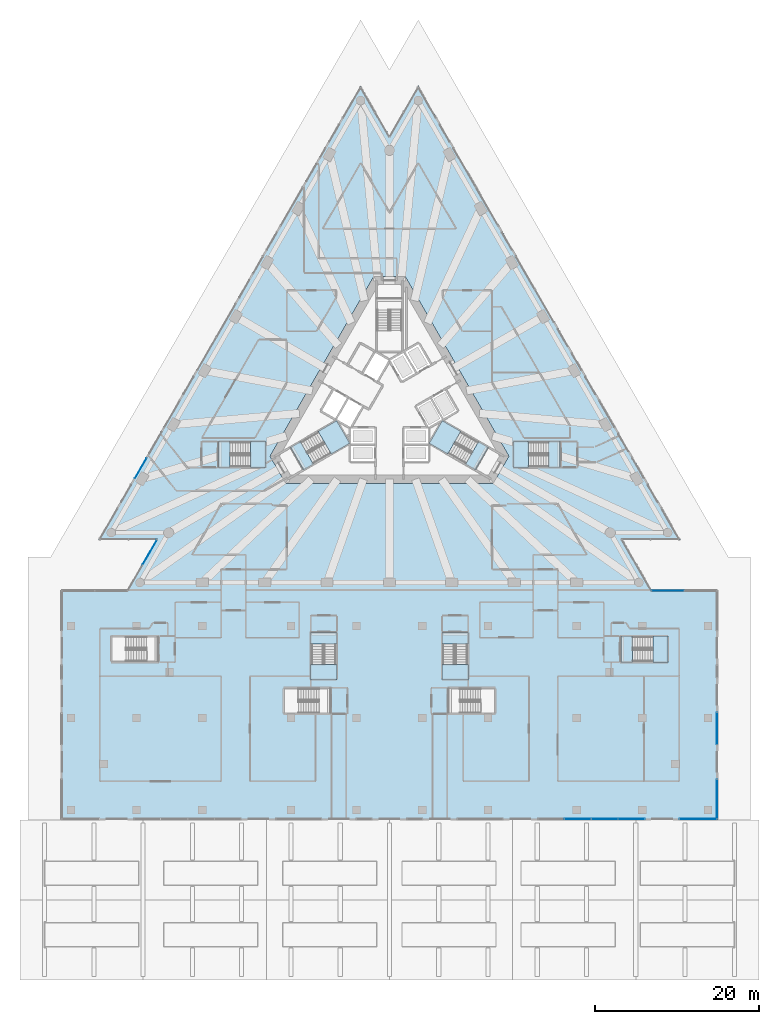
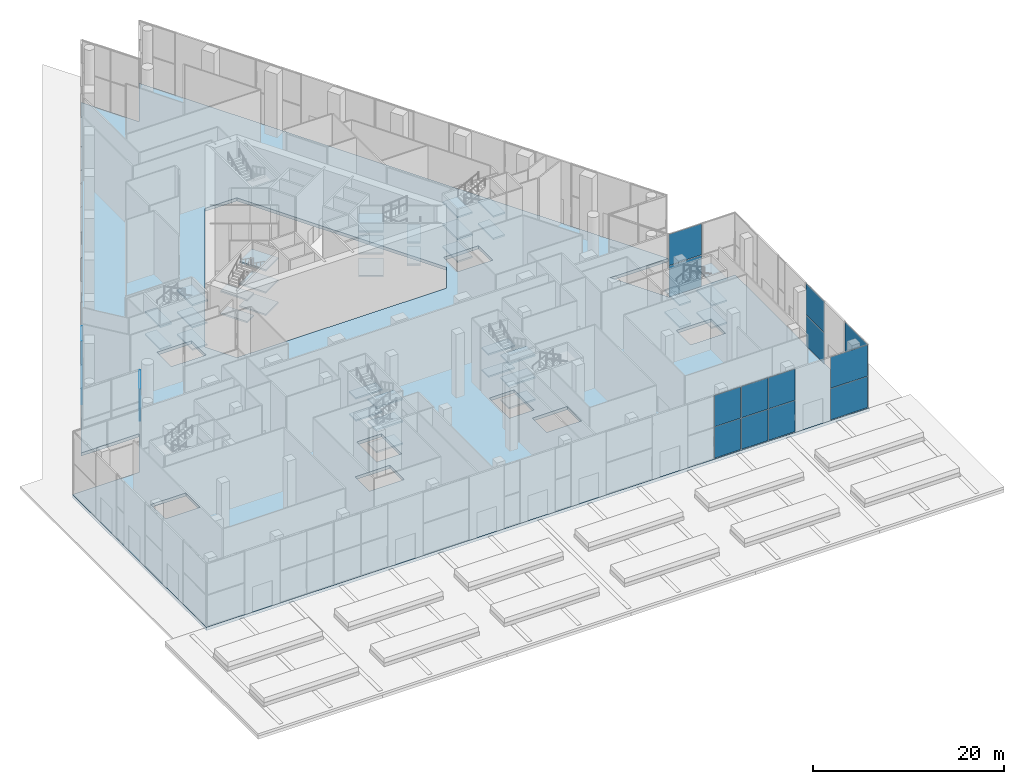
# One storey, part 17 of 41: 36 slabs, 17 plates, 15 elements without a shape of their own.
"""IFC4 building model written with IfcOpenShell, lengths in metres."""

import ifcopenshell
import ifcopenshell.guid

model = None  # the IFC model being written
_history = None  # IfcOwnerHistory: only IFC2X3 demands one
_inside = {}  # id of a spatial element -> (the spatial element, [elements in it])
_under = {}  # id of a project, library or spatial element -> (it, [spatial elements below it])
_declared = {}  # id of a project -> (the project, [libraries it declares])
_typed = {}  # id of a type object -> (the type object, [elements of that type])
_made_of = {}  # id of a material, layer set ... -> (it, [elements and type objects made of it])


def new_model(schema):
    """Start an empty IFC model of exactly this schema.

    Asked for "IFC4X3", IfcOpenShell would pick the latest addendum, in which some entities
    have other attributes; the version numbers below select the first issue.
    IFC2X3 requires an IfcOwnerHistory on every rooted entity: one is made here for all.
    """
    global model, _history
    if schema == "IFC4X3":
        model = ifcopenshell.file(schema_version=(4, 3, 0, 0))
    else:
        model = ifcopenshell.file(schema=schema)
    _inside.clear()
    _under.clear()
    _declared.clear()
    _typed.clear()
    _made_of.clear()
    _history = None
    if model.schema == "IFC2X3":
        org = make("IfcOrganization", Name="unknown")
        user = make(
            "IfcPersonAndOrganization",
            ThePerson=make("IfcPerson", FamilyName="unknown"),
            TheOrganization=org,
        )
        app = make(
            "IfcApplication",
            ApplicationDeveloper=org,
            Version="unknown",
            ApplicationFullName="unknown",
            ApplicationIdentifier="unknown",
        )
        _history = make(
            "IfcOwnerHistory",
            OwningUser=user,
            OwningApplication=app,
            ChangeAction="ADDED",
            CreationDate=0,
        )
    return model


def make(cls, **values):
    """One entity of the class cls with the attributes given. An attribute that is None is left unset."""
    return model.create_entity(
        cls, **{name: value for name, value in values.items() if value is not None}
    )


def rooted(cls, **values):
    """An entity with a GlobalId (a new one), such as an element, a storey or a relation."""
    return make(cls, GlobalId=ifcopenshell.guid.new(), OwnerHistory=_history, **values)


def si_unit(unit_type, name, prefix=None):
    """IfcSIUnit, for example si_unit("LENGTHUNIT", "METRE", prefix="MILLI")."""
    return make("IfcSIUnit", UnitType=unit_type, Prefix=prefix, Name=name)


def assignment(units):
    """IfcUnitAssignment: the units of a project."""
    return None if units is None else make("IfcUnitAssignment", Units=units)


def point(xyz):
    """IfcCartesianPoint."""
    return None if xyz is None else make("IfcCartesianPoint", Coordinates=xyz)


def direction(xyz):
    """IfcDirection."""
    return None if xyz is None else make("IfcDirection", DirectionRatios=xyz)


def frame(location, z_axis=None, x_axis=None):
    """IfcAxis2Placement3D, a coordinate frame: its origin and axes. An axis left out is left unset."""
    return make(
        "IfcAxis2Placement3D",
        Location=point(location),
        Axis=direction(z_axis),
        RefDirection=direction(x_axis),
    )


def frame_2d(location, x_axis=None):
    """IfcAxis2Placement2D, a coordinate frame in the plane: its origin and x axis."""
    return make(
        "IfcAxis2Placement2D", Location=point(location), RefDirection=direction(x_axis)
    )


def origin():
    """The frame at (0, 0, 0) with its axes left unset."""
    return frame((0.0, 0.0, 0.0))


def origin_2d():
    """The frame at (0, 0) in the plane with its x axis left unset."""
    return frame_2d((0.0, 0.0))


def place(relative_to, where):
    """IfcLocalPlacement: puts the frame where relative to a parent placement (None: the world)."""
    return make(
        "IfcLocalPlacement", PlacementRelTo=relative_to, RelativePlacement=where
    )


def context(
    kind, dimensions, precision=None, world=None, true_north=None, identifier=None
):
    """IfcGeometricRepresentationContext, for example the 3D "Model" context."""
    return make(
        "IfcGeometricRepresentationContext",
        ContextIdentifier=identifier,
        ContextType=kind,
        CoordinateSpaceDimension=dimensions,
        Precision=precision,
        WorldCoordinateSystem=world,
        TrueNorth=true_north,
    )


def subcontext(parent, identifier, kind, view, scale=None):
    """IfcGeometricRepresentationSubContext, for example "Body" below "Model"."""
    return make(
        "IfcGeometricRepresentationSubContext",
        ContextIdentifier=identifier,
        ContextType=kind,
        ParentContext=parent,
        TargetScale=scale,
        TargetView=view,
    )


def project(units=None, contexts=None):
    """IfcProject with its units and contexts."""
    return rooted(
        "IfcProject",
        Name="project",
        RepresentationContexts=contexts,
        UnitsInContext=assignment(units),
    )


def spatial(cls, under=None, at=None, **own):
    """A site, building, storey or space (cls), placed at a placement, below another one or the project."""
    s = rooted(cls, ObjectPlacement=at, **own)
    if under is not None:
        _under.setdefault(under.id(), (under, []))[1].append(s)
    return s


def polyline(points):
    """IfcPolyline through the points."""
    return make("IfcPolyline", Points=[point(p) for p in points])


def profile(cls, at=None, kind="AREA", **sizes):
    """A parametric profile (cls). Its sizes go by their IFC names, for example OverallWidth=200.0."""
    return make(cls, ProfileType=kind, Position=at, **sizes)


def rectangle(**sizes):
    """IfcRectangleProfileDef."""
    return profile("IfcRectangleProfileDef", **sizes)


def outline(outer, holes=None, kind="AREA"):
    """IfcArbitraryClosedProfileDef: a profile drawn as a closed curve; with holes, ...WithVoids."""
    if holes is None:
        return make("IfcArbitraryClosedProfileDef", ProfileType=kind, OuterCurve=outer)
    return make(
        "IfcArbitraryProfileDefWithVoids",
        ProfileType=kind,
        OuterCurve=outer,
        InnerCurves=holes,
    )


def extrude(swept, where, along, depth):
    """IfcExtrudedAreaSolid: the profile swept, set in the frame where, extruded along a direction by depth."""
    return make(
        "IfcExtrudedAreaSolid",
        SweptArea=swept,
        Position=where,
        ExtrudedDirection=direction(along),
        Depth=depth,
    )


def shape(context_of_items, identifier, shape_type, items):
    """IfcShapeRepresentation: the items that make up one representation, for example the "Body"."""
    return make(
        "IfcShapeRepresentation",
        ContextOfItems=context_of_items,
        RepresentationIdentifier=identifier,
        RepresentationType=shape_type,
        Items=items,
    )


def material(Name=None, Category=None):
    """IfcMaterial."""
    return make("IfcMaterial", Name=Name, Category=Category)


def layer(
    of_material, thickness, ventilated=None, Name=None, Category=None, Priority=None
):
    """IfcMaterialLayer: one layer of a wall or slab, of a material (None: an air gap)."""
    return make(
        "IfcMaterialLayer",
        Material=of_material,
        LayerThickness=thickness,
        IsVentilated=ventilated,
        Name=Name,
        Category=Category,
        Priority=Priority,
    )


def layer_set(layers, Name=None):
    """IfcMaterialLayerSet."""
    return make("IfcMaterialLayerSet", MaterialLayers=layers, LayerSetName=Name)


def made_of(thing, what):
    """Note that an element or type object is made of a material, layer set ...; save() writes the relation."""
    if what is not None:
        _made_of.setdefault(what.id(), (what, []))[1].append(thing)
    return thing


def type_object(cls, material=None, **own):
    """A type object (cls), such as IfcWallType, which elements share."""
    return made_of(rooted(cls, **own), material)


def element(
    cls,
    number,
    at=None,
    inside=None,
    cuts=None,
    type_object=None,
    material=None,
    context=None,
    identifier="Body",
    shape_type=None,
    held_by="IfcProductDefinitionShape",
    body=None,
    shapes=None,
    **own,
):
    """One element of the class cls, such as IfcWall. Its Tag is "e" and its number.

    at: its placement. inside: the storey or other place that contains it. cuts: it is an
    opening in that element (IfcRelVoidsElement). A single representation is given by context,
    identifier, shape_type and body (its items); several are given by shapes. held_by: the class
    of the entity that holds the representations. save() writes the other relations.
    """
    e = rooted(cls, Tag="e%d" % number, ObjectPlacement=at, **own)
    if body is not None:
        shapes = [shape(context, identifier, shape_type, body)]
    if shapes is not None:
        e.Representation = make(held_by, Representations=shapes)
    if inside is not None:
        _inside.setdefault(inside.id(), (inside, []))[1].append(e)
    if cuts is not None:
        rooted(
            "IfcRelVoidsElement", RelatingBuildingElement=cuts, RelatedOpeningElement=e
        )
    if type_object is not None:
        _typed.setdefault(type_object.id(), (type_object, []))[1].append(e)
    return made_of(e, material)


def aggregate(whole, parts):
    """IfcRelAggregates: a whole, such as a stair, and the parts it consists of."""
    return rooted("IfcRelAggregates", RelatingObject=whole, RelatedObjects=parts)


def save(model, path):
    """Write the relations noted so far, then the file.

    IfcRelAggregates (storeys below a building ...), IfcRelContainedInSpatialStructure (elements
    in a storey), IfcRelDefinesByType, IfcRelAssociatesMaterial and IfcRelDeclares: one each for
    every whole, place, type object, material and project.
    """
    for whole, parts in _under.values():
        aggregate(whole, parts)
    for where, things in _inside.values():
        rooted(
            "IfcRelContainedInSpatialStructure",
            RelatedElements=things,
            RelatingStructure=where,
        )
    for kind, things in _typed.values():
        rooted("IfcRelDefinesByType", RelatedObjects=things, RelatingType=kind)
    for what, things in _made_of.values():
        rooted("IfcRelAssociatesMaterial", RelatedObjects=things, RelatingMaterial=what)
    for by, libraries in _declared.values():
        rooted("IfcRelDeclares", RelatingContext=by, RelatedDefinitions=libraries)
    model.write(path)


model = new_model("IFC4")

# Units and contexts
model_context = context("Model", 3, precision=1e-05, world=origin(), true_north=direction((0.0, 1.0)))
body_context = subcontext(model_context, "Body", "Model", "MODEL_VIEW")
ifc_project = project(units=[si_unit("LENGTHUNIT", "METRE"), si_unit("AREAUNIT", "SQUARE_METRE"), si_unit("VOLUMEUNIT", "CUBIC_METRE"), si_unit("PLANEANGLEUNIT", "RADIAN"), si_unit("MASSUNIT", "GRAM", prefix="KILO")], contexts=[model_context])

# Site, building, storey
site_placement = place(None, origin())
site = spatial("IfcSite", under=ifc_project, at=site_placement, CompositionType="ELEMENT")
building_placement = place(site_placement, origin())
building = spatial("IfcBuilding", under=site, at=building_placement, Name="Triada Interchange Tower", CompositionType="ELEMENT")
storey_placement = place(building_placement, origin())
storey = spatial("IfcBuildingStorey", under=building, at=storey_placement, Name="L00", CompositionType="ELEMENT", Elevation=0.0)

# Curtain wall, plates
ifc_material_1 = material(Name="Aluminium framed glazing", Category="aluminium")
ifc_layer_1 = layer(ifc_material_1, 0.199951171875)
ifc_layer_set_1 = layer_set([ifc_layer_1], Name="Curtain wall Concourse glazed screen")
curtain_wall_type_1 = type_object("IfcCurtainWallType", Name="Curtain wall Concourse glazed screen", PredefinedType="NOTDEFINED", material=ifc_layer_set_1)
curtain_wall_1_placement = place(storey_placement, origin())
curtain_wall_1 = element("IfcCurtainWall", 1, at=curtain_wall_1_placement, inside=storey, type_object=curtain_wall_type_1, Name="Concourse glazed screen CW037 L00", PredefinedType="NOTDEFINED")
ifc_material_2 = material(Name="Insulated glazing unit", Category="glass")
ifc_layer_2 = layer(ifc_material_2, 0.031982421875)
ifc_layer_set_2 = layer_set([ifc_layer_2], Name="Glazing panel Concourse glazed screen 32")
plate_type_1 = type_object("IfcPlateType", Name="Glazing panel Concourse glazed screen 32", PredefinedType="CURTAIN_PANEL", material=ifc_layer_set_2)
plate_1_placement = place(storey_placement, frame((-30.2880859375, -7.659423828125, 0.06005859375), z_axis=(0.0, 0.0, 1.0), x_axis=(-0.499969479946, -0.866043023829, 0.0)))
plate_1 = element("IfcPlate", 2, at=plate_1_placement, type_object=plate_type_1, Name="CW037 panel 1.1", PredefinedType="CURTAIN_PANEL", context=body_context, shape_type="SweptSolid", body=[
    extrude(rectangle(XDim=2.80029296875, YDim=0.031982421875, at=origin_2d()), origin(), (0.0, 0.0, 1.0), 3.9599609375),
])
plate_2_placement = place(storey_placement, frame((-30.2880859375, -7.659423828125, 4.080078125), z_axis=(0.0, 0.0, 1.0), x_axis=(-0.499969479946, -0.866043023829, 0.0)))
plate_2 = element("IfcPlate", 3, at=plate_2_placement, type_object=plate_type_1, Name="CW037 panel 1.2", PredefinedType="CURTAIN_PANEL", context=body_context, shape_type="SweptSolid", body=[
    extrude(rectangle(XDim=2.80029296875, YDim=0.031982421875, at=origin_2d()), origin(), (0.0, 0.0, 1.0), 3.9599609375),
])
aggregate(curtain_wall_1, [plate_1, plate_2])

ifc_layer_3 = layer(ifc_material_1, 0.199951171875)
ifc_layer_set_3 = layer_set([ifc_layer_3], Name="Curtain wall Retail shopfront")
curtain_wall_type_2 = type_object("IfcCurtainWallType", Name="Curtain wall Retail shopfront", PredefinedType="NOTDEFINED", material=ifc_layer_set_3)
curtain_wall_2_placement = place(storey_placement, origin())
curtain_wall_2 = element("IfcCurtainWall", 4, at=curtain_wall_2_placement, inside=storey, type_object=curtain_wall_type_2, Name="Retail shopfront CW008 L00", PredefinedType="NOTDEFINED")
ifc_layer_4 = layer(ifc_material_2, 0.028076171875)
ifc_layer_set_4 = layer_set([ifc_layer_4], Name="Glazing panel Retail shopfront 28")
plate_type_2 = type_object("IfcPlateType", Name="Glazing panel Retail shopfront 28", PredefinedType="CURTAIN_PANEL", material=ifc_layer_set_4)
plate_3_placement = place(storey_placement, frame((22.941162109375, -50.39990234375, 0.050048828125), z_axis=(0.0, 0.0, 1.0), x_axis=(1.0, 0.0, 0.0)))
plate_3 = element("IfcPlate", 5, at=plate_3_placement, type_object=plate_type_2, Name="CW008 panel 2.1", PredefinedType="CURTAIN_PANEL", context=body_context, shape_type="SweptSolid", body=[
    extrude(rectangle(XDim=3.1875, YDim=0.028076171875, at=origin_2d()), origin(), (0.0, 0.0, 1.0), 3.97509765625),
])
plate_4_placement = place(storey_placement, frame((22.941162109375, -50.39990234375, 4.074951171875), z_axis=(0.0, 0.0, 1.0), x_axis=(1.0, 0.0, 0.0)))
plate_4 = element("IfcPlate", 6, at=plate_4_placement, type_object=plate_type_2, Name="CW008 panel 2.2", PredefinedType="CURTAIN_PANEL", context=body_context, shape_type="SweptSolid", body=[
    extrude(rectangle(XDim=3.1875, YDim=0.028076171875, at=origin_2d()), origin(), (0.0, 0.0, 1.0), 3.97509765625),
])
aggregate(curtain_wall_2, [plate_3, plate_4])

curtain_wall_3_placement = place(storey_placement, origin())
curtain_wall_3 = element("IfcCurtainWall", 7, at=curtain_wall_3_placement, inside=storey, type_object=curtain_wall_type_2, Name="Retail shopfront CW009 L00", PredefinedType="NOTDEFINED")
plate_5_placement = place(storey_placement, frame((26.23876953125, -50.39990234375, 0.050048828125), z_axis=(0.0, 0.0, 1.0), x_axis=(1.0, 0.0, 0.0)))
plate_5 = element("IfcPlate", 8, at=plate_5_placement, type_object=plate_type_2, Name="CW009 panel 1.1", PredefinedType="CURTAIN_PANEL", context=body_context, shape_type="SweptSolid", body=[
    extrude(rectangle(XDim=3.1875, YDim=0.028076171875, at=origin_2d()), origin(), (0.0, 0.0, 1.0), 3.97509765625),
])
plate_6_placement = place(storey_placement, frame((26.23876953125, -50.39990234375, 4.074951171875), z_axis=(0.0, 0.0, 1.0), x_axis=(1.0, 0.0, 0.0)))
plate_6 = element("IfcPlate", 9, at=plate_6_placement, type_object=plate_type_2, Name="CW009 panel 1.2", PredefinedType="CURTAIN_PANEL", context=body_context, shape_type="SweptSolid", body=[
    extrude(rectangle(XDim=3.1875, YDim=0.028076171875, at=origin_2d()), origin(), (0.0, 0.0, 1.0), 3.97509765625),
])
plate_7_placement = place(storey_placement, frame((29.476318359375, -50.39990234375, 0.050048828125), z_axis=(0.0, 0.0, 1.0), x_axis=(1.0, 0.0, 0.0)))
plate_7 = element("IfcPlate", 10, at=plate_7_placement, type_object=plate_type_2, Name="CW009 panel 2.1", PredefinedType="CURTAIN_PANEL", context=body_context, shape_type="SweptSolid", body=[
    extrude(rectangle(XDim=3.1875, YDim=0.028076171875, at=origin_2d()), origin(), (0.0, 0.0, 1.0), 3.97509765625),
])
plate_8_placement = place(storey_placement, frame((29.476318359375, -50.39990234375, 4.074951171875), z_axis=(0.0, 0.0, 1.0), x_axis=(1.0, 0.0, 0.0)))
plate_8 = element("IfcPlate", 11, at=plate_8_placement, type_object=plate_type_2, Name="CW009 panel 2.2", PredefinedType="CURTAIN_PANEL", context=body_context, shape_type="SweptSolid", body=[
    extrude(rectangle(XDim=3.1875, YDim=0.028076171875, at=origin_2d()), origin(), (0.0, 0.0, 1.0), 3.97509765625),
])
aggregate(curtain_wall_3, [plate_5, plate_6, plate_7, plate_8])

curtain_wall_4_placement = place(storey_placement, origin())
curtain_wall_4 = element("IfcCurtainWall", 12, at=curtain_wall_4_placement, inside=storey, type_object=curtain_wall_type_2, Name="Retail shopfront CW010 L00", PredefinedType="NOTDEFINED")
plate_9_placement = place(storey_placement, frame((37.610107421875, -50.39990234375, 0.050048828125), z_axis=(0.0, 0.0, 1.0), x_axis=(1.0, 0.0, 0.0)))
plate_9 = element("IfcPlate", 13, at=plate_9_placement, type_object=plate_type_2, Name="CW010 panel 1.1", PredefinedType="CURTAIN_PANEL", context=body_context, shape_type="SweptSolid", body=[
    extrude(rectangle(XDim=4.47998046875, YDim=0.028076171875, at=origin_2d()), origin(), (0.0, 0.0, 1.0), 3.97509765625),
])
plate_10_placement = place(storey_placement, frame((37.610107421875, -50.39990234375, 4.074951171875), z_axis=(0.0, 0.0, 1.0), x_axis=(1.0, 0.0, 0.0)))
plate_10 = element("IfcPlate", 14, at=plate_10_placement, type_object=plate_type_2, Name="CW010 panel 1.2", PredefinedType="CURTAIN_PANEL", context=body_context, shape_type="SweptSolid", body=[
    extrude(rectangle(XDim=4.47998046875, YDim=0.028076171875, at=origin_2d()), origin(), (0.0, 0.0, 1.0), 3.97509765625),
])
aggregate(curtain_wall_4, [plate_9, plate_10])

curtain_wall_5_placement = place(storey_placement, origin())
curtain_wall_5 = element("IfcCurtainWall", 15, at=curtain_wall_5_placement, inside=storey, type_object=curtain_wall_type_2, Name="Retail shopfront CW011 L00", PredefinedType="NOTDEFINED")
plate_11_placement = place(storey_placement, frame((39.89990234375, -47.97509765625, 0.050048828125), z_axis=(0.0, 0.0, 1.0), x_axis=(0.0, 1.0, 0.0)))
plate_11 = element("IfcPlate", 16, at=plate_11_placement, type_object=plate_type_2, Name="CW011 panel 1.1", PredefinedType="CURTAIN_PANEL", context=body_context, shape_type="SweptSolid", body=[
    extrude(rectangle(XDim=4.75, YDim=0.028076171875, at=origin_2d()), origin(), (0.0, 0.0, 1.0), 3.97509765625),
])
plate_12_placement = place(storey_placement, frame((39.89990234375, -47.97509765625, 4.074951171875), z_axis=(0.0, 0.0, 1.0), x_axis=(0.0, 1.0, 0.0)))
plate_12 = element("IfcPlate", 17, at=plate_12_placement, type_object=plate_type_2, Name="CW011 panel 1.2", PredefinedType="CURTAIN_PANEL", context=body_context, shape_type="SweptSolid", body=[
    extrude(rectangle(XDim=4.75, YDim=0.028076171875, at=origin_2d()), origin(), (0.0, 0.0, 1.0), 3.97509765625),
])
aggregate(curtain_wall_5, [plate_11, plate_12])

curtain_wall_6_placement = place(storey_placement, origin())
curtain_wall_6 = element("IfcCurtainWall", 18, at=curtain_wall_6_placement, inside=storey, type_object=curtain_wall_type_2, Name="Retail shopfront CW012 L00", PredefinedType="NOTDEFINED")
plate_13_placement = place(storey_placement, frame((39.89990234375, -39.375, 0.050048828125), z_axis=(0.0, 0.0, 1.0), x_axis=(0.0, 1.0, 0.0)))
plate_13 = element("IfcPlate", 19, at=plate_13_placement, type_object=plate_type_2, Name="CW012 panel 1.1", PredefinedType="CURTAIN_PANEL", context=body_context, shape_type="SweptSolid", body=[
    extrude(rectangle(XDim=3.85009765625, YDim=0.028076171875, at=origin_2d()), origin(), (0.0, 0.0, 1.0), 3.97509765625),
])
plate_14_placement = place(storey_placement, frame((39.89990234375, -39.375, 4.074951171875), z_axis=(0.0, 0.0, 1.0), x_axis=(0.0, 1.0, 0.0)))
plate_14 = element("IfcPlate", 20, at=plate_14_placement, type_object=plate_type_2, Name="CW012 panel 1.2", PredefinedType="CURTAIN_PANEL", context=body_context, shape_type="SweptSolid", body=[
    extrude(rectangle(XDim=3.85009765625, YDim=0.028076171875, at=origin_2d()), origin(), (0.0, 0.0, 1.0), 3.97509765625),
])
aggregate(curtain_wall_6, [plate_13, plate_14])

curtain_wall_7_placement = place(storey_placement, origin())
curtain_wall_7 = element("IfcCurtainWall", 21, at=curtain_wall_7_placement, inside=storey, type_object=curtain_wall_type_2, Name="Retail shopfront CW016 L00", PredefinedType="NOTDEFINED")
plate_15_placement = place(storey_placement, frame((33.89599609375, -22.60009765625, 0.050048828125), z_axis=(0.0, 0.0, 1.0), x_axis=(-1.0, 0.0, 0.0)))
plate_15 = element("IfcPlate", 22, at=plate_15_placement, type_object=plate_type_2, Name="CW016 panel 1.1", PredefinedType="CURTAIN_PANEL", context=body_context, shape_type="SweptSolid", body=[
    extrude(rectangle(XDim=3.89599609375, YDim=0.028076171875, at=origin_2d()), origin(), (0.0, 0.0, 1.0), 3.97509765625),
])
plate_16_placement = place(storey_placement, frame((33.89599609375, -22.60009765625, 4.074951171875), z_axis=(0.0, 0.0, 1.0), x_axis=(-1.0, 0.0, 0.0)))
plate_16 = element("IfcPlate", 23, at=plate_16_placement, type_object=plate_type_2, Name="CW016 panel 1.2", PredefinedType="CURTAIN_PANEL", context=body_context, shape_type="SweptSolid", body=[
    extrude(rectangle(XDim=3.89599609375, YDim=0.028076171875, at=origin_2d()), origin(), (0.0, 0.0, 1.0), 3.97509765625),
])
aggregate(curtain_wall_7, [plate_15, plate_16])

# Curtain wall, plate
ifc_layer_5 = layer(ifc_material_1, 0.199951171875)
ifc_layer_set_5 = layer_set([ifc_layer_5], Name="Curtain wall Tower lobby glazing")
curtain_wall_type_3 = type_object("IfcCurtainWallType", Name="Curtain wall Tower lobby glazing", PredefinedType="NOTDEFINED", material=ifc_layer_set_5)
curtain_wall_8_placement = place(storey_placement, origin())
curtain_wall_8 = element("IfcCurtainWall", 24, at=curtain_wall_8_placement, inside=storey, type_object=curtain_wall_type_3, Name="Tower lobby glazing CW040 L00", PredefinedType="NOTDEFINED")
ifc_layer_6 = layer(ifc_material_2, 0.031982421875)
ifc_layer_set_6 = layer_set([ifc_layer_6], Name="Glazing panel Tower lobby glazing 32")
plate_type_3 = type_object("IfcPlateType", Name="Glazing panel Tower lobby glazing 32", PredefinedType="CURTAIN_PANEL", material=ifc_layer_set_6)
plate_17_placement = place(storey_placement, frame((-29.18896484375, -17.90673828125, 4.080078125), z_axis=(0.0, 0.0, 1.0), x_axis=(-0.499909634761, -0.866077569894, 0.0)))
plate_17 = element("IfcPlate", 25, at=plate_17_placement, type_object=plate_type_3, Name="CW040 panel 1.2", PredefinedType="CURTAIN_PANEL", context=body_context, shape_type="SweptSolid", body=[
    extrude(rectangle(XDim=3.53271484375, YDim=0.031982421875, at=origin_2d()), origin(), (0.0, 0.0, 1.0), 3.9599609375),
])
aggregate(curtain_wall_8, [plate_17])

# Slab
ifc_material_3 = material(Name="Concrete C40/50", Category="concrete")
ifc_layer_7 = layer(ifc_material_3, 0.39990234375)
ifc_layer_set_7 = layer_set([ifc_layer_7], Name="Podium floor over basement 400")
slab_type_1 = type_object("IfcSlabType", Name="Podium floor over basement 400", PredefinedType="FLOOR", material=ifc_layer_set_7)
slab_1_placement = place(storey_placement, frame((0.0, 0.0, -0.39990234375)))
element("IfcSlab", 26, at=slab_1_placement, inside=storey, type_object=slab_type_1, Name="Floor slab L00", PredefinedType="FLOOR", context=body_context, shape_type="SweptSolid", body=[
    extrude(outline(polyline([(-40.0, -50.5), (40.0, -50.5), (40.0, -22.5), (31.9560546875, -22.5), (28.448974609375, -16.425048828125), (35.464111328125, -16.425048828125), (3.507080078125, 38.925048828125), (0.0, 32.85009765625), (-3.507080078125, 38.925048828125), (-35.464111328125, -16.425048828125), (-28.448974609375, -16.425048828125), (-31.9560546875, -22.5), (-40.0, -22.5), (-40.0, -50.5)]), holes=[polyline([(-8.60009765625, -37.5), (-12.800048828125, -37.5), (-12.800048828125, -34.5), (-8.60009765625, -34.5), (-8.60009765625, -37.5)]), polyline([(8.60009765625, -34.5), (12.800048828125, -34.5), (12.800048828125, -37.5), (8.60009765625, -37.5), (8.60009765625, -34.5)]), polyline([(-6.5, -29.10009765625), (-6.5, -33.300048828125), (-9.5, -33.300048828125), (-9.5, -29.10009765625), (-6.5, -29.10009765625)]), polyline([(9.5, -29.10009765625), (9.5, -33.300048828125), (6.5, -33.300048828125), (6.5, -29.10009765625), (9.5, -29.10009765625)]), polyline([(-29.60009765625, -31.199951171875), (-33.800048828125, -31.199951171875), (-33.800048828125, -28.199951171875), (-29.60009765625, -28.199951171875), (-29.60009765625, -31.199951171875)]), polyline([(29.60009765625, -28.199951171875), (33.800048828125, -28.199951171875), (33.800048828125, -31.199951171875), (29.60009765625, -31.199951171875), (29.60009765625, -28.199951171875)]), polyline([(-19.39990234375, -4.5), (-15.199951171875, -4.5), (-15.199951171875, -7.5), (-19.39990234375, -7.5), (-19.39990234375, -4.5)]), polyline([(15.199951171875, -7.5), (15.199951171875, -4.5), (19.39990234375, -4.5), (19.39990234375, -7.5), (15.199951171875, -7.5)]), polyline([(-14.549072265625, -6.199951171875), (-1.905029296875, 15.699951171875), (1.905029296875, 15.699951171875), (14.549072265625, -6.199951171875), (12.64404296875, -9.5), (-12.64404296875, -9.5), (-14.549072265625, -6.199951171875)])]), origin(), (0.0, 0.0, 1.0), 0.39990234375),
])

# Stair, slabs
ifc_material_4 = material(Name="Concrete C35/45", Category="concrete")
stair_type = type_object("IfcStairType", Name="HALF TURN STAIR 1400", PredefinedType="HALF_TURN_STAIR", material=ifc_material_4)
stair_1_placement = place(storey_placement, origin())
stair_1 = element("IfcStair", 27, at=stair_1_placement, inside=storey, type_object=stair_type, Name="Exit stair S00-2", PredefinedType="HALF_TURN_STAIR")
ifc_layer_8 = layer(ifc_material_4, 0.199951171875)
ifc_layer_set_8 = layer_set([ifc_layer_8], Name="STAIR LANDING 200")
slab_type_2 = type_object("IfcSlabType", Name="STAIR LANDING 200", PredefinedType="LANDING", material=ifc_layer_set_8)
slab_2_placement = place(storey_placement, frame((0.0, 0.0, 1.216796875)))
slab_2 = element("IfcSlab", 28, at=slab_2_placement, type_object=slab_type_2, Name="S00-2 landing 1", PredefinedType="LANDING", context=body_context, shape_type="SweptSolid", body=[
    extrude(outline(polyline([(-6.428955078125, -1.864013671875), (-8.697998046875, -3.174072265625), (-7.097900390625, -5.946044921875), (-4.8291015625, -4.635986328125), (-6.428955078125, -1.864013671875)])), origin(), (0.0, 0.0, 1.0), 0.199951171875),
])
slab_3_placement = place(storey_placement, frame((0.0, 0.0, 4.050048828125)))
slab_3 = element("IfcSlab", 29, at=slab_3_placement, type_object=slab_type_2, Name="S00-2 landing 2", PredefinedType="LANDING", context=body_context, shape_type="SweptSolid", body=[
    extrude(outline(polyline([(-6.428955078125, -1.864013671875), (-8.697998046875, -3.174072265625), (-7.097900390625, -5.946044921875), (-4.8291015625, -4.635986328125), (-6.428955078125, -1.864013671875)])), origin(), (0.0, 0.0, 1.0), 0.199951171875),
])
slab_4_placement = place(storey_placement, frame((0.0, 0.0, 6.883544921875)))
slab_4 = element("IfcSlab", 30, at=slab_4_placement, type_object=slab_type_2, Name="S00-2 landing 3", PredefinedType="LANDING", context=body_context, shape_type="SweptSolid", body=[
    extrude(outline(polyline([(-6.428955078125, -1.864013671875), (-8.697998046875, -3.174072265625), (-7.097900390625, -5.946044921875), (-4.8291015625, -4.635986328125), (-6.428955078125, -1.864013671875)])), origin(), (0.0, 0.0, 1.0), 0.199951171875),
])
slab_5_placement = place(storey_placement, frame((0.0, 0.0, 2.63330078125)))
slab_5 = element("IfcSlab", 31, at=slab_5_placement, type_object=slab_type_2, Name="S00-2 landing 4", PredefinedType="LANDING", context=body_context, shape_type="SweptSolid", body=[
    extrude(outline(polyline([(-10.845947265625, -4.4140625), (-12.05810546875, -5.114013671875), (-10.4580078125, -7.885986328125), (-9.24609375, -7.18603515625), (-10.845947265625, -4.4140625)])), origin(), (0.0, 0.0, 1.0), 0.2001953125),
])
slab_6_placement = place(storey_placement, frame((0.0, 0.0, 5.466796875)))
slab_6 = element("IfcSlab", 32, at=slab_6_placement, type_object=slab_type_2, Name="S00-2 landing 5", PredefinedType="LANDING", context=body_context, shape_type="SweptSolid", body=[
    extrude(outline(polyline([(-10.845947265625, -4.4140625), (-12.05810546875, -5.114013671875), (-10.4580078125, -7.885986328125), (-9.24609375, -7.18603515625), (-10.845947265625, -4.4140625)])), origin(), (0.0, 0.0, 1.0), 0.199951171875),
])
aggregate(stair_1, [slab_2, slab_3, slab_4, slab_5, slab_6])

stair_2_placement = place(storey_placement, origin())
stair_2 = element("IfcStair", 33, at=stair_2_placement, inside=storey, type_object=stair_type, Name="Exit stair S00-3", PredefinedType="HALF_TURN_STAIR")
slab_7_placement = place(storey_placement, frame((0.0, 0.0, 1.216796875)))
slab_7 = element("IfcSlab", 34, at=slab_7_placement, type_object=slab_type_2, Name="S00-3 landing 1", PredefinedType="LANDING", context=body_context, shape_type="SweptSolid", body=[
    extrude(outline(polyline([(4.8291015625, -4.635986328125), (7.097900390625, -5.946044921875), (8.697998046875, -3.174072265625), (6.428955078125, -1.864013671875), (4.8291015625, -4.635986328125)])), origin(), (0.0, 0.0, 1.0), 0.199951171875),
])
slab_8_placement = place(storey_placement, frame((0.0, 0.0, 4.050048828125)))
slab_8 = element("IfcSlab", 35, at=slab_8_placement, type_object=slab_type_2, Name="S00-3 landing 2", PredefinedType="LANDING", context=body_context, shape_type="SweptSolid", body=[
    extrude(outline(polyline([(4.8291015625, -4.635986328125), (7.097900390625, -5.946044921875), (8.697998046875, -3.174072265625), (6.428955078125, -1.864013671875), (4.8291015625, -4.635986328125)])), origin(), (0.0, 0.0, 1.0), 0.199951171875),
])
slab_9_placement = place(storey_placement, frame((0.0, 0.0, 6.883544921875)))
slab_9 = element("IfcSlab", 36, at=slab_9_placement, type_object=slab_type_2, Name="S00-3 landing 3", PredefinedType="LANDING", context=body_context, shape_type="SweptSolid", body=[
    extrude(outline(polyline([(4.8291015625, -4.635986328125), (7.097900390625, -5.946044921875), (8.697998046875, -3.174072265625), (6.428955078125, -1.864013671875), (4.8291015625, -4.635986328125)])), origin(), (0.0, 0.0, 1.0), 0.199951171875),
])
slab_10_placement = place(storey_placement, frame((0.0, 0.0, 2.63330078125)))
slab_10 = element("IfcSlab", 37, at=slab_10_placement, type_object=slab_type_2, Name="S00-3 landing 4", PredefinedType="LANDING", context=body_context, shape_type="SweptSolid", body=[
    extrude(outline(polyline([(9.24609375, -7.18603515625), (10.4580078125, -7.885986328125), (12.05810546875, -5.114013671875), (10.845947265625, -4.4140625), (9.24609375, -7.18603515625)])), origin(), (0.0, 0.0, 1.0), 0.2001953125),
])
slab_11_placement = place(storey_placement, frame((0.0, 0.0, 5.466796875)))
slab_11 = element("IfcSlab", 38, at=slab_11_placement, type_object=slab_type_2, Name="S00-3 landing 5", PredefinedType="LANDING", context=body_context, shape_type="SweptSolid", body=[
    extrude(outline(polyline([(9.24609375, -7.18603515625), (10.4580078125, -7.885986328125), (12.05810546875, -5.114013671875), (10.845947265625, -4.4140625), (9.24609375, -7.18603515625)])), origin(), (0.0, 0.0, 1.0), 0.199951171875),
])
aggregate(stair_2, [slab_7, slab_8, slab_9, slab_10, slab_11])

stair_3_placement = place(storey_placement, origin())
stair_3 = element("IfcStair", 39, at=stair_3_placement, inside=storey, type_object=stair_type, Name="Exit stair S00-6", PredefinedType="HALF_TURN_STAIR")
slab_12_placement = place(storey_placement, frame((0.0, 0.0, 1.216796875)))
slab_12 = element("IfcSlab", 40, at=slab_12_placement, type_object=slab_type_2, Name="S00-6 landing 1", PredefinedType="LANDING", context=body_context, shape_type="SweptSolid", body=[
    extrude(outline(polyline([(-15.10009765625, -4.39990234375), (-16.919921875, -4.39990234375), (-16.919921875, -7.60009765625), (-15.10009765625, -7.60009765625), (-15.10009765625, -4.39990234375)])), origin(), (0.0, 0.0, 1.0), 0.199951171875),
])
slab_13_placement = place(storey_placement, frame((0.0, 0.0, 4.050048828125)))
slab_13 = element("IfcSlab", 41, at=slab_13_placement, type_object=slab_type_2, Name="S00-6 landing 2", PredefinedType="LANDING", context=body_context, shape_type="SweptSolid", body=[
    extrude(outline(polyline([(-15.10009765625, -4.39990234375), (-16.919921875, -4.39990234375), (-16.919921875, -7.60009765625), (-15.10009765625, -7.60009765625), (-15.10009765625, -4.39990234375)])), origin(), (0.0, 0.0, 1.0), 0.199951171875),
])
slab_14_placement = place(storey_placement, frame((0.0, 0.0, 6.883544921875)))
slab_14 = element("IfcSlab", 42, at=slab_14_placement, type_object=slab_type_2, Name="S00-6 landing 3", PredefinedType="LANDING", context=body_context, shape_type="SweptSolid", body=[
    extrude(outline(polyline([(-15.10009765625, -4.39990234375), (-16.919921875, -4.39990234375), (-16.919921875, -7.60009765625), (-15.10009765625, -7.60009765625), (-15.10009765625, -4.39990234375)])), origin(), (0.0, 0.0, 1.0), 0.199951171875),
])
slab_15_placement = place(storey_placement, frame((0.0, 0.0, 2.63330078125)))
slab_15 = element("IfcSlab", 43, at=slab_15_placement, type_object=slab_type_2, Name="S00-6 landing 4", PredefinedType="LANDING", context=body_context, shape_type="SweptSolid", body=[
    extrude(outline(polyline([(-19.39990234375, -4.39990234375), (-20.800048828125, -4.39990234375), (-20.800048828125, -7.60009765625), (-19.39990234375, -7.60009765625), (-19.39990234375, -4.39990234375)])), origin(), (0.0, 0.0, 1.0), 0.2001953125),
])
slab_16_placement = place(storey_placement, frame((0.0, 0.0, 5.466796875)))
slab_16 = element("IfcSlab", 44, at=slab_16_placement, type_object=slab_type_2, Name="S00-6 landing 5", PredefinedType="LANDING", context=body_context, shape_type="SweptSolid", body=[
    extrude(outline(polyline([(-19.39990234375, -4.39990234375), (-20.800048828125, -4.39990234375), (-20.800048828125, -7.60009765625), (-19.39990234375, -7.60009765625), (-19.39990234375, -4.39990234375)])), origin(), (0.0, 0.0, 1.0), 0.199951171875),
])
aggregate(stair_3, [slab_12, slab_13, slab_14, slab_15, slab_16])

stair_4_placement = place(storey_placement, origin())
stair_4 = element("IfcStair", 45, at=stair_4_placement, inside=storey, type_object=stair_type, Name="Exit stair S00-7", PredefinedType="HALF_TURN_STAIR")
slab_17_placement = place(storey_placement, frame((0.0, 0.0, 1.216796875)))
slab_17 = element("IfcSlab", 46, at=slab_17_placement, type_object=slab_type_2, Name="S00-7 landing 1", PredefinedType="LANDING", context=body_context, shape_type="SweptSolid", body=[
    extrude(outline(polyline([(15.10009765625, -7.60009765625), (16.919921875, -7.60009765625), (16.919921875, -4.39990234375), (15.10009765625, -4.39990234375), (15.10009765625, -7.60009765625)])), origin(), (0.0, 0.0, 1.0), 0.199951171875),
])
slab_18_placement = place(storey_placement, frame((0.0, 0.0, 4.050048828125)))
slab_18 = element("IfcSlab", 47, at=slab_18_placement, type_object=slab_type_2, Name="S00-7 landing 2", PredefinedType="LANDING", context=body_context, shape_type="SweptSolid", body=[
    extrude(outline(polyline([(15.10009765625, -7.60009765625), (16.919921875, -7.60009765625), (16.919921875, -4.39990234375), (15.10009765625, -4.39990234375), (15.10009765625, -7.60009765625)])), origin(), (0.0, 0.0, 1.0), 0.199951171875),
])
slab_19_placement = place(storey_placement, frame((0.0, 0.0, 6.883544921875)))
slab_19 = element("IfcSlab", 48, at=slab_19_placement, type_object=slab_type_2, Name="S00-7 landing 3", PredefinedType="LANDING", context=body_context, shape_type="SweptSolid", body=[
    extrude(outline(polyline([(15.10009765625, -7.60009765625), (16.919921875, -7.60009765625), (16.919921875, -4.39990234375), (15.10009765625, -4.39990234375), (15.10009765625, -7.60009765625)])), origin(), (0.0, 0.0, 1.0), 0.199951171875),
])
slab_20_placement = place(storey_placement, frame((0.0, 0.0, 2.63330078125)))
slab_20 = element("IfcSlab", 49, at=slab_20_placement, type_object=slab_type_2, Name="S00-7 landing 4", PredefinedType="LANDING", context=body_context, shape_type="SweptSolid", body=[
    extrude(outline(polyline([(19.39990234375, -7.60009765625), (20.800048828125, -7.60009765625), (20.800048828125, -4.39990234375), (19.39990234375, -4.39990234375), (19.39990234375, -7.60009765625)])), origin(), (0.0, 0.0, 1.0), 0.2001953125),
])
slab_21_placement = place(storey_placement, frame((0.0, 0.0, 5.466796875)))
slab_21 = element("IfcSlab", 50, at=slab_21_placement, type_object=slab_type_2, Name="S00-7 landing 5", PredefinedType="LANDING", context=body_context, shape_type="SweptSolid", body=[
    extrude(outline(polyline([(19.39990234375, -7.60009765625), (20.800048828125, -7.60009765625), (20.800048828125, -4.39990234375), (19.39990234375, -4.39990234375), (19.39990234375, -7.60009765625)])), origin(), (0.0, 0.0, 1.0), 0.199951171875),
])
aggregate(stair_4, [slab_17, slab_18, slab_19, slab_20, slab_21])

stair_5_placement = place(storey_placement, origin())
stair_5 = element("IfcStair", 51, at=stair_5_placement, inside=storey, type_object=stair_type, Name="Exit stair S00-9", PredefinedType="HALF_TURN_STAIR")
slab_22_placement = place(storey_placement, frame((0.0, 0.0, 1.216796875)))
slab_22 = element("IfcSlab", 52, at=slab_22_placement, type_object=slab_type_2, Name="S00-9 landing 1", PredefinedType="LANDING", context=body_context, shape_type="SweptSolid", body=[
    extrude(outline(polyline([(33.89990234375, -28.10009765625), (32.080078125, -28.10009765625), (32.080078125, -31.300048828125), (33.89990234375, -31.300048828125), (33.89990234375, -28.10009765625)])), origin(), (0.0, 0.0, 1.0), 0.199951171875),
])
slab_23_placement = place(storey_placement, frame((0.0, 0.0, 4.050048828125)))
slab_23 = element("IfcSlab", 53, at=slab_23_placement, type_object=slab_type_2, Name="S00-9 landing 2", PredefinedType="LANDING", context=body_context, shape_type="SweptSolid", body=[
    extrude(outline(polyline([(33.89990234375, -28.10009765625), (32.080078125, -28.10009765625), (32.080078125, -31.300048828125), (33.89990234375, -31.300048828125), (33.89990234375, -28.10009765625)])), origin(), (0.0, 0.0, 1.0), 0.199951171875),
])
slab_24_placement = place(storey_placement, frame((0.0, 0.0, 6.883544921875)))
slab_24 = element("IfcSlab", 54, at=slab_24_placement, type_object=slab_type_2, Name="S00-9 landing 3", PredefinedType="LANDING", context=body_context, shape_type="SweptSolid", body=[
    extrude(outline(polyline([(33.89990234375, -28.10009765625), (32.080078125, -28.10009765625), (32.080078125, -31.300048828125), (33.89990234375, -31.300048828125), (33.89990234375, -28.10009765625)])), origin(), (0.0, 0.0, 1.0), 0.199951171875),
])
slab_25_placement = place(storey_placement, frame((0.0, 0.0, 2.63330078125)))
slab_25 = element("IfcSlab", 55, at=slab_25_placement, type_object=slab_type_2, Name="S00-9 landing 4", PredefinedType="LANDING", context=body_context, shape_type="SweptSolid", body=[
    extrude(outline(polyline([(29.60009765625, -28.10009765625), (28.199951171875, -28.10009765625), (28.199951171875, -31.300048828125), (29.60009765625, -31.300048828125), (29.60009765625, -28.10009765625)])), origin(), (0.0, 0.0, 1.0), 0.2001953125),
])
slab_26_placement = place(storey_placement, frame((0.0, 0.0, 5.466796875)))
slab_26 = element("IfcSlab", 56, at=slab_26_placement, type_object=slab_type_2, Name="S00-9 landing 5", PredefinedType="LANDING", context=body_context, shape_type="SweptSolid", body=[
    extrude(outline(polyline([(29.60009765625, -28.10009765625), (28.199951171875, -28.10009765625), (28.199951171875, -31.300048828125), (29.60009765625, -31.300048828125), (29.60009765625, -28.10009765625)])), origin(), (0.0, 0.0, 1.0), 0.199951171875),
])
aggregate(stair_5, [slab_22, slab_23, slab_24, slab_25, slab_26])

stair_6_placement = place(storey_placement, origin())
stair_6 = element("IfcStair", 57, at=stair_6_placement, inside=storey, type_object=stair_type, Name="Exit stair S00-10", PredefinedType="HALF_TURN_STAIR")
slab_27_placement = place(storey_placement, frame((0.0, 0.0, 1.216796875)))
slab_27 = element("IfcSlab", 58, at=slab_27_placement, type_object=slab_type_2, Name="S00-10 landing 1", PredefinedType="LANDING", context=body_context, shape_type="SweptSolid", body=[
    extrude(outline(polyline([(9.60009765625, -33.39990234375), (9.60009765625, -31.580078125), (6.39990234375, -31.580078125), (6.39990234375, -33.39990234375), (9.60009765625, -33.39990234375)])), origin(), (0.0, 0.0, 1.0), 0.199951171875),
])
slab_28_placement = place(storey_placement, frame((0.0, 0.0, 4.050048828125)))
slab_28 = element("IfcSlab", 59, at=slab_28_placement, type_object=slab_type_2, Name="S00-10 landing 2", PredefinedType="LANDING", context=body_context, shape_type="SweptSolid", body=[
    extrude(outline(polyline([(9.60009765625, -33.39990234375), (9.60009765625, -31.580078125), (6.39990234375, -31.580078125), (6.39990234375, -33.39990234375), (9.60009765625, -33.39990234375)])), origin(), (0.0, 0.0, 1.0), 0.199951171875),
])
slab_29_placement = place(storey_placement, frame((0.0, 0.0, 6.883544921875)))
slab_29 = element("IfcSlab", 60, at=slab_29_placement, type_object=slab_type_2, Name="S00-10 landing 3", PredefinedType="LANDING", context=body_context, shape_type="SweptSolid", body=[
    extrude(outline(polyline([(9.60009765625, -33.39990234375), (9.60009765625, -31.580078125), (6.39990234375, -31.580078125), (6.39990234375, -33.39990234375), (9.60009765625, -33.39990234375)])), origin(), (0.0, 0.0, 1.0), 0.199951171875),
])
slab_30_placement = place(storey_placement, frame((0.0, 0.0, 2.63330078125)))
slab_30 = element("IfcSlab", 61, at=slab_30_placement, type_object=slab_type_2, Name="S00-10 landing 4", PredefinedType="LANDING", context=body_context, shape_type="SweptSolid", body=[
    extrude(outline(polyline([(9.60009765625, -29.10009765625), (9.60009765625, -27.699951171875), (6.39990234375, -27.699951171875), (6.39990234375, -29.10009765625), (9.60009765625, -29.10009765625)])), origin(), (0.0, 0.0, 1.0), 0.2001953125),
])
slab_31_placement = place(storey_placement, frame((0.0, 0.0, 5.466796875)))
slab_31 = element("IfcSlab", 62, at=slab_31_placement, type_object=slab_type_2, Name="S00-10 landing 5", PredefinedType="LANDING", context=body_context, shape_type="SweptSolid", body=[
    extrude(outline(polyline([(9.60009765625, -29.10009765625), (9.60009765625, -27.699951171875), (6.39990234375, -27.699951171875), (6.39990234375, -29.10009765625), (9.60009765625, -29.10009765625)])), origin(), (0.0, 0.0, 1.0), 0.199951171875),
])
aggregate(stair_6, [slab_27, slab_28, slab_29, slab_30, slab_31])

stair_7_placement = place(storey_placement, origin())
stair_7 = element("IfcStair", 63, at=stair_7_placement, inside=storey, type_object=stair_type, Name="Exit stair S00-11", PredefinedType="HALF_TURN_STAIR")
slab_32_placement = place(storey_placement, frame((0.0, 0.0, 1.216796875)))
slab_32 = element("IfcSlab", 64, at=slab_32_placement, type_object=slab_type_2, Name="S00-11 landing 1", PredefinedType="LANDING", context=body_context, shape_type="SweptSolid", body=[
    extrude(outline(polyline([(-6.39990234375, -33.39990234375), (-6.39990234375, -31.580078125), (-9.60009765625, -31.580078125), (-9.60009765625, -33.39990234375), (-6.39990234375, -33.39990234375)])), origin(), (0.0, 0.0, 1.0), 0.199951171875),
])
slab_33_placement = place(storey_placement, frame((0.0, 0.0, 4.050048828125)))
slab_33 = element("IfcSlab", 65, at=slab_33_placement, type_object=slab_type_2, Name="S00-11 landing 2", PredefinedType="LANDING", context=body_context, shape_type="SweptSolid", body=[
    extrude(outline(polyline([(-6.39990234375, -33.39990234375), (-6.39990234375, -31.580078125), (-9.60009765625, -31.580078125), (-9.60009765625, -33.39990234375), (-6.39990234375, -33.39990234375)])), origin(), (0.0, 0.0, 1.0), 0.199951171875),
])
slab_34_placement = place(storey_placement, frame((0.0, 0.0, 6.883544921875)))
slab_34 = element("IfcSlab", 66, at=slab_34_placement, type_object=slab_type_2, Name="S00-11 landing 3", PredefinedType="LANDING", context=body_context, shape_type="SweptSolid", body=[
    extrude(outline(polyline([(-6.39990234375, -33.39990234375), (-6.39990234375, -31.580078125), (-9.60009765625, -31.580078125), (-9.60009765625, -33.39990234375), (-6.39990234375, -33.39990234375)])), origin(), (0.0, 0.0, 1.0), 0.199951171875),
])
slab_35_placement = place(storey_placement, frame((0.0, 0.0, 2.63330078125)))
slab_35 = element("IfcSlab", 67, at=slab_35_placement, type_object=slab_type_2, Name="S00-11 landing 4", PredefinedType="LANDING", context=body_context, shape_type="SweptSolid", body=[
    extrude(outline(polyline([(-6.39990234375, -29.10009765625), (-6.39990234375, -27.699951171875), (-9.60009765625, -27.699951171875), (-9.60009765625, -29.10009765625), (-6.39990234375, -29.10009765625)])), origin(), (0.0, 0.0, 1.0), 0.2001953125),
])
slab_36_placement = place(storey_placement, frame((0.0, 0.0, 5.466796875)))
slab_36 = element("IfcSlab", 68, at=slab_36_placement, type_object=slab_type_2, Name="S00-11 landing 5", PredefinedType="LANDING", context=body_context, shape_type="SweptSolid", body=[
    extrude(outline(polyline([(-6.39990234375, -29.10009765625), (-6.39990234375, -27.699951171875), (-9.60009765625, -27.699951171875), (-9.60009765625, -29.10009765625), (-6.39990234375, -29.10009765625)])), origin(), (0.0, 0.0, 1.0), 0.199951171875),
])
aggregate(stair_7, [slab_32, slab_33, slab_34, slab_35, slab_36])

save(model, "model.ifc")
